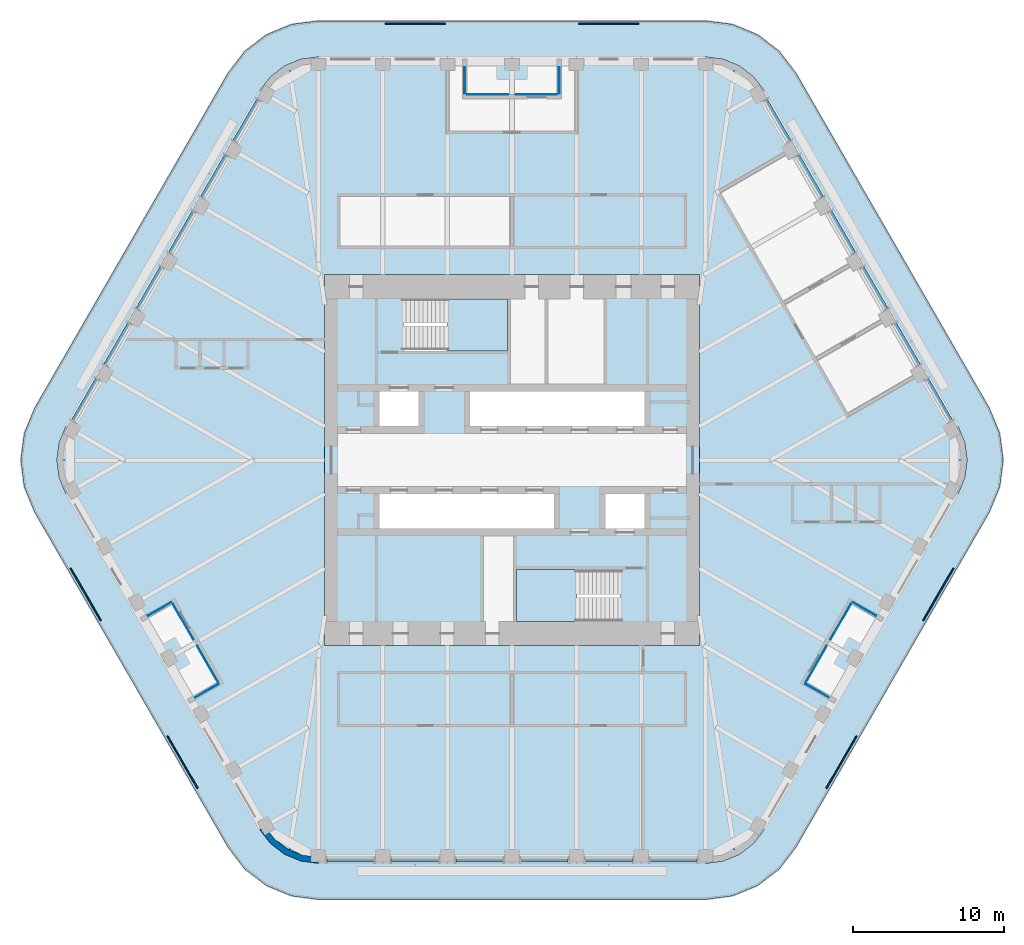
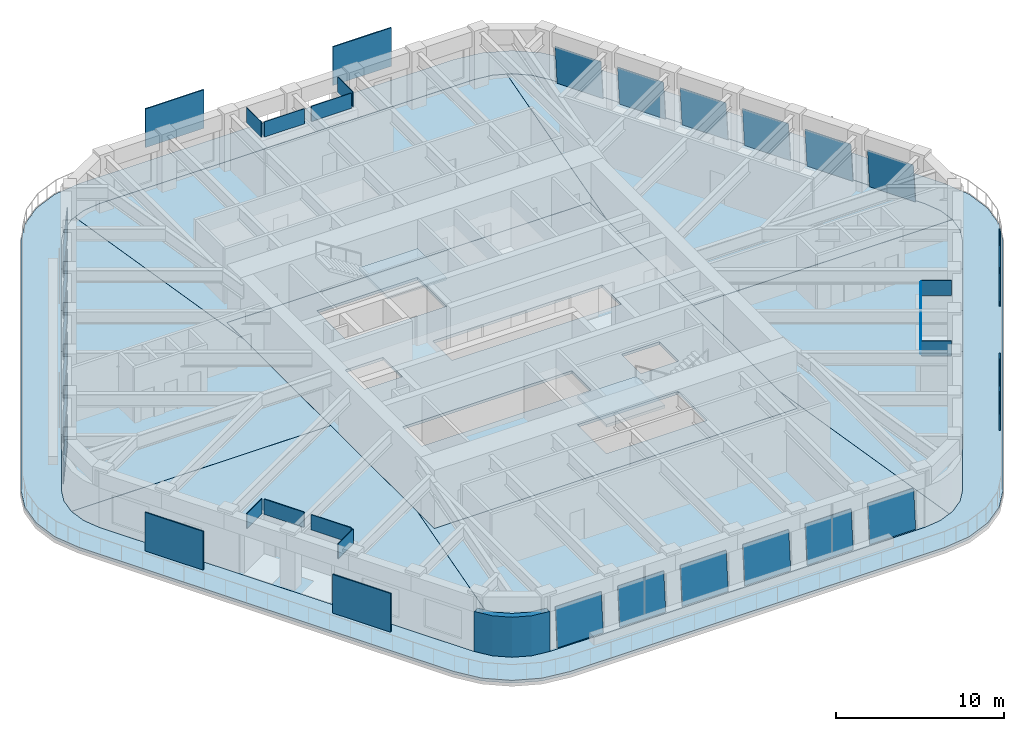
# One storey, part 12 of 19: 36 plates, 10 slabs, 1 wall, 20 elements without a shape of their own.
"""IFC4 building model written with IfcOpenShell, lengths in metres."""

import ifcopenshell
import ifcopenshell.guid

model = None  # the IFC model being written
_history = None  # IfcOwnerHistory: only IFC2X3 demands one
_inside = {}  # id of a spatial element -> (the spatial element, [elements in it])
_under = {}  # id of a project, library or spatial element -> (it, [spatial elements below it])
_declared = {}  # id of a project -> (the project, [libraries it declares])
_typed = {}  # id of a type object -> (the type object, [elements of that type])
_made_of = {}  # id of a material, layer set ... -> (it, [elements and type objects made of it])


def new_model(schema):
    """Start an empty IFC model of exactly this schema.

    Asked for "IFC4X3", IfcOpenShell would pick the latest addendum, in which some entities
    have other attributes; the version numbers below select the first issue.
    IFC2X3 requires an IfcOwnerHistory on every rooted entity: one is made here for all.
    """
    global model, _history
    if schema == "IFC4X3":
        model = ifcopenshell.file(schema_version=(4, 3, 0, 0))
    else:
        model = ifcopenshell.file(schema=schema)
    _inside.clear()
    _under.clear()
    _declared.clear()
    _typed.clear()
    _made_of.clear()
    _history = None
    if model.schema == "IFC2X3":
        org = make("IfcOrganization", Name="unknown")
        user = make(
            "IfcPersonAndOrganization",
            ThePerson=make("IfcPerson", FamilyName="unknown"),
            TheOrganization=org,
        )
        app = make(
            "IfcApplication",
            ApplicationDeveloper=org,
            Version="unknown",
            ApplicationFullName="unknown",
            ApplicationIdentifier="unknown",
        )
        _history = make(
            "IfcOwnerHistory",
            OwningUser=user,
            OwningApplication=app,
            ChangeAction="ADDED",
            CreationDate=0,
        )
    return model


def make(cls, **values):
    """One entity of the class cls with the attributes given. An attribute that is None is left unset."""
    return model.create_entity(
        cls, **{name: value for name, value in values.items() if value is not None}
    )


def rooted(cls, **values):
    """An entity with a GlobalId (a new one), such as an element, a storey or a relation."""
    return make(cls, GlobalId=ifcopenshell.guid.new(), OwnerHistory=_history, **values)


def si_unit(unit_type, name, prefix=None):
    """IfcSIUnit, for example si_unit("LENGTHUNIT", "METRE", prefix="MILLI")."""
    return make("IfcSIUnit", UnitType=unit_type, Prefix=prefix, Name=name)


def assignment(units):
    """IfcUnitAssignment: the units of a project."""
    return None if units is None else make("IfcUnitAssignment", Units=units)


def point(xyz):
    """IfcCartesianPoint."""
    return None if xyz is None else make("IfcCartesianPoint", Coordinates=xyz)


def direction(xyz):
    """IfcDirection."""
    return None if xyz is None else make("IfcDirection", DirectionRatios=xyz)


def frame(location, z_axis=None, x_axis=None):
    """IfcAxis2Placement3D, a coordinate frame: its origin and axes. An axis left out is left unset."""
    return make(
        "IfcAxis2Placement3D",
        Location=point(location),
        Axis=direction(z_axis),
        RefDirection=direction(x_axis),
    )


def frame_2d(location, x_axis=None):
    """IfcAxis2Placement2D, a coordinate frame in the plane: its origin and x axis."""
    return make(
        "IfcAxis2Placement2D", Location=point(location), RefDirection=direction(x_axis)
    )


def origin():
    """The frame at (0, 0, 0) with its axes left unset."""
    return frame((0.0, 0.0, 0.0))


def origin_2d():
    """The frame at (0, 0) in the plane with its x axis left unset."""
    return frame_2d((0.0, 0.0))


def place(relative_to, where):
    """IfcLocalPlacement: puts the frame where relative to a parent placement (None: the world)."""
    return make(
        "IfcLocalPlacement", PlacementRelTo=relative_to, RelativePlacement=where
    )


def context(
    kind, dimensions, precision=None, world=None, true_north=None, identifier=None
):
    """IfcGeometricRepresentationContext, for example the 3D "Model" context."""
    return make(
        "IfcGeometricRepresentationContext",
        ContextIdentifier=identifier,
        ContextType=kind,
        CoordinateSpaceDimension=dimensions,
        Precision=precision,
        WorldCoordinateSystem=world,
        TrueNorth=true_north,
    )


def subcontext(parent, identifier, kind, view, scale=None):
    """IfcGeometricRepresentationSubContext, for example "Body" below "Model"."""
    return make(
        "IfcGeometricRepresentationSubContext",
        ContextIdentifier=identifier,
        ContextType=kind,
        ParentContext=parent,
        TargetScale=scale,
        TargetView=view,
    )


def project(units=None, contexts=None):
    """IfcProject with its units and contexts."""
    return rooted(
        "IfcProject",
        Name="project",
        RepresentationContexts=contexts,
        UnitsInContext=assignment(units),
    )


def spatial(cls, under=None, at=None, **own):
    """A site, building, storey or space (cls), placed at a placement, below another one or the project."""
    s = rooted(cls, ObjectPlacement=at, **own)
    if under is not None:
        _under.setdefault(under.id(), (under, []))[1].append(s)
    return s


def polyline(points):
    """IfcPolyline through the points."""
    return make("IfcPolyline", Points=[point(p) for p in points])


def profile(cls, at=None, kind="AREA", **sizes):
    """A parametric profile (cls). Its sizes go by their IFC names, for example OverallWidth=200.0."""
    return make(cls, ProfileType=kind, Position=at, **sizes)


def rectangle(**sizes):
    """IfcRectangleProfileDef."""
    return profile("IfcRectangleProfileDef", **sizes)


def outline(outer, holes=None, kind="AREA"):
    """IfcArbitraryClosedProfileDef: a profile drawn as a closed curve; with holes, ...WithVoids."""
    if holes is None:
        return make("IfcArbitraryClosedProfileDef", ProfileType=kind, OuterCurve=outer)
    return make(
        "IfcArbitraryProfileDefWithVoids",
        ProfileType=kind,
        OuterCurve=outer,
        InnerCurves=holes,
    )


def extrude(swept, where, along, depth):
    """IfcExtrudedAreaSolid: the profile swept, set in the frame where, extruded along a direction by depth."""
    return make(
        "IfcExtrudedAreaSolid",
        SweptArea=swept,
        Position=where,
        ExtrudedDirection=direction(along),
        Depth=depth,
    )


def shape(context_of_items, identifier, shape_type, items):
    """IfcShapeRepresentation: the items that make up one representation, for example the "Body"."""
    return make(
        "IfcShapeRepresentation",
        ContextOfItems=context_of_items,
        RepresentationIdentifier=identifier,
        RepresentationType=shape_type,
        Items=items,
    )


def material(Name=None, Category=None):
    """IfcMaterial."""
    return make("IfcMaterial", Name=Name, Category=Category)


def layer(
    of_material, thickness, ventilated=None, Name=None, Category=None, Priority=None
):
    """IfcMaterialLayer: one layer of a wall or slab, of a material (None: an air gap)."""
    return make(
        "IfcMaterialLayer",
        Material=of_material,
        LayerThickness=thickness,
        IsVentilated=ventilated,
        Name=Name,
        Category=Category,
        Priority=Priority,
    )


def layer_set(layers, Name=None):
    """IfcMaterialLayerSet."""
    return make("IfcMaterialLayerSet", MaterialLayers=layers, LayerSetName=Name)


def made_of(thing, what):
    """Note that an element or type object is made of a material, layer set ...; save() writes the relation."""
    if what is not None:
        _made_of.setdefault(what.id(), (what, []))[1].append(thing)
    return thing


def type_object(cls, material=None, **own):
    """A type object (cls), such as IfcWallType, which elements share."""
    return made_of(rooted(cls, **own), material)


def element(
    cls,
    number,
    at=None,
    inside=None,
    cuts=None,
    type_object=None,
    material=None,
    context=None,
    identifier="Body",
    shape_type=None,
    held_by="IfcProductDefinitionShape",
    body=None,
    shapes=None,
    **own,
):
    """One element of the class cls, such as IfcWall. Its Tag is "e" and its number.

    at: its placement. inside: the storey or other place that contains it. cuts: it is an
    opening in that element (IfcRelVoidsElement). A single representation is given by context,
    identifier, shape_type and body (its items); several are given by shapes. held_by: the class
    of the entity that holds the representations. save() writes the other relations.
    """
    e = rooted(cls, Tag="e%d" % number, ObjectPlacement=at, **own)
    if body is not None:
        shapes = [shape(context, identifier, shape_type, body)]
    if shapes is not None:
        e.Representation = make(held_by, Representations=shapes)
    if inside is not None:
        _inside.setdefault(inside.id(), (inside, []))[1].append(e)
    if cuts is not None:
        rooted(
            "IfcRelVoidsElement", RelatingBuildingElement=cuts, RelatedOpeningElement=e
        )
    if type_object is not None:
        _typed.setdefault(type_object.id(), (type_object, []))[1].append(e)
    return made_of(e, material)


def aggregate(whole, parts):
    """IfcRelAggregates: a whole, such as a stair, and the parts it consists of."""
    return rooted("IfcRelAggregates", RelatingObject=whole, RelatedObjects=parts)


def save(model, path):
    """Write the relations noted so far, then the file.

    IfcRelAggregates (storeys below a building ...), IfcRelContainedInSpatialStructure (elements
    in a storey), IfcRelDefinesByType, IfcRelAssociatesMaterial and IfcRelDeclares: one each for
    every whole, place, type object, material and project.
    """
    for whole, parts in _under.values():
        aggregate(whole, parts)
    for where, things in _inside.values():
        rooted(
            "IfcRelContainedInSpatialStructure",
            RelatedElements=things,
            RelatingStructure=where,
        )
    for kind, things in _typed.values():
        rooted("IfcRelDefinesByType", RelatedObjects=things, RelatingType=kind)
    for what, things in _made_of.values():
        rooted("IfcRelAssociatesMaterial", RelatedObjects=things, RelatingMaterial=what)
    for by, libraries in _declared.values():
        rooted("IfcRelDeclares", RelatingContext=by, RelatedDefinitions=libraries)
    model.write(path)


model = new_model("IFC4")

# Units and contexts
model_context = context("Model", 3, precision=1e-05, world=origin(), true_north=direction((0.0, 1.0)))
body_context = subcontext(model_context, "Body", "Model", "MODEL_VIEW")
ifc_project = project(units=[si_unit("LENGTHUNIT", "METRE"), si_unit("AREAUNIT", "SQUARE_METRE"), si_unit("VOLUMEUNIT", "CUBIC_METRE"), si_unit("PLANEANGLEUNIT", "RADIAN"), si_unit("MASSUNIT", "GRAM", prefix="KILO")], contexts=[model_context])

# Site, building, storey
site_placement = place(None, origin())
site = spatial("IfcSite", under=ifc_project, at=site_placement, CompositionType="ELEMENT")
building_placement = place(site_placement, origin())
building = spatial("IfcBuilding", under=site, at=building_placement, Name="Tarfa Lantern Tower", CompositionType="ELEMENT")
storey_placement = place(building_placement, frame((0.0, 0.0, 349.300048828125)))
storey = spatial("IfcBuildingStorey", under=building, at=storey_placement, Name="L79", CompositionType="ELEMENT", Elevation=349.300048828125)

# Slab
ifc_material_1 = material(Name="Concrete C40/50", Category="concrete")
ifc_layer_1 = layer(ifc_material_1, 0.199951171875)
ifc_layer_set_1 = layer_set([ifc_layer_1], Name="BS2 BALCONY SLAB 200")
slab_type_1 = type_object("IfcSlabType", Name="BS2 BALCONY SLAB 200", PredefinedType="FLOOR", material=ifc_layer_set_1)
slab_1_placement = place(storey_placement, frame((0.0, 0.0, -0.199951171875)))
element("IfcSlab", 1, at=slab_1_placement, inside=storey, type_object=slab_type_1, Name="Balcony L79", PredefinedType="FLOOR", context=body_context, shape_type="SweptSolid", body=[
    extrude(outline(polyline([(31.667724609375, 3.449951171875), (18.821533203125, 25.699951171875), (17.72509765625, 27.129150390625), (16.296142578125, 28.2255859375), (14.6318359375, 28.914794921875), (12.845947265625, 29.14990234375), (-12.845947265625, 29.14990234375), (-14.6318359375, 28.914794921875), (-16.296142578125, 28.2255859375), (-17.72509765625, 27.129150390625), (-18.821533203125, 25.699951171875), (-31.667724609375, 3.449951171875), (-32.35693359375, 1.785888671875), (-32.592041015625, 0.0), (-32.35693359375, -1.785888671875), (-31.667724609375, -3.449951171875), (-18.821533203125, -25.699951171875), (-17.72509765625, -27.129150390625), (-16.296142578125, -28.2255859375), (-14.6318359375, -28.914794921875), (-12.845947265625, -29.14990234375), (12.845947265625, -29.14990234375), (14.6318359375, -28.914794921875), (16.296142578125, -28.2255859375), (17.72509765625, -27.129150390625), (18.821533203125, -25.699951171875), (31.667724609375, -3.449951171875), (32.35693359375, -1.785888671875), (32.592041015625, 0.0), (32.35693359375, 1.785888671875), (31.667724609375, 3.449951171875)]), holes=[polyline([(29.589111328125, 2.25), (16.7431640625, 24.5), (16.028076171875, 25.431884765625), (15.095947265625, 26.147216796875), (14.0107421875, 26.5966796875), (12.845947265625, 26.75), (-12.845947265625, 26.75), (-14.0107421875, 26.5966796875), (-15.095947265625, 26.147216796875), (-16.028076171875, 25.431884765625), (-16.7431640625, 24.5), (-29.589111328125, 2.25), (-30.038818359375, 1.164794921875), (-30.192138671875, 0.0), (-30.038818359375, -1.164794921875), (-29.589111328125, -2.25), (-16.7431640625, -24.5), (-16.028076171875, -25.431884765625), (-15.095947265625, -26.147216796875), (-14.0107421875, -26.5966796875), (-12.845947265625, -26.75), (12.845947265625, -26.75), (14.0107421875, -26.5966796875), (15.095947265625, -26.147216796875), (16.028076171875, -25.431884765625), (16.7431640625, -24.5), (29.589111328125, -2.25), (30.038818359375, -1.164794921875), (30.192138671875, 0.0), (30.038818359375, 1.164794921875), (29.589111328125, 2.25)])]), origin(), (0.0, 0.0, 1.0), 0.199951171875),
])

# Curtain wall, plate
ifc_material_2 = material(Name="Aluminium framed curtain wall", Category="aluminium")
curtain_wall_type = type_object("IfcCurtainWallType", Name="CW4 CANTED GLAZING EXECUTIVE ZONE 2900", PredefinedType="USERDEFINED", material=ifc_material_2)
curtain_wall_1_placement = place(storey_placement, origin())
curtain_wall_1 = element("IfcCurtainWall", 2, at=curtain_wall_1_placement, inside=storey, type_object=curtain_wall_type, Name="CW4 NE L79", ObjectType="CURTAIN WALL", PredefinedType="USERDEFINED")
ifc_material_3 = material(Name="Laminated double glazing", Category="glass")
ifc_layer_2 = layer(ifc_material_3, 0.028076171875)
ifc_layer_set_2 = layer_set([ifc_layer_2], Name="CWP1 DOUBLE GLAZED PANEL")
plate_type_1 = type_object("IfcPlateType", Name="CWP1 DOUBLE GLAZED PANEL", PredefinedType="CURTAIN_PANEL", material=ifc_layer_set_2)
plate_1_placement = place(storey_placement, frame((29.22021484375, 2.689208984375, 0.0), z_axis=(0.862804843011, 0.49819050769, 0.085872119595), x_axis=(-0.500037562771, 0.866003715822, 0.0)))
plate_1 = element("IfcPlate", 3, at=plate_1_placement, type_object=plate_type_1, Name="CW4 panel 1.1", PredefinedType="CURTAIN_PANEL", context=body_context, shape_type="SweptSolid", body=[
    extrude(outline(polyline([(0.0, 0.0), (3.1521069462545803, 0.0), (3.1522365138844113, 2.845471633558051), (0.00012956762983128145, 2.845471633558051), (0.0, 0.0)])), origin(), (0.0, 0.0, -1.0), 0.028076171875),
])
aggregate(curtain_wall_1, [plate_1])

curtain_wall_2_placement = place(storey_placement, origin())
curtain_wall_2 = element("IfcCurtainWall", 4, at=curtain_wall_2_placement, inside=storey, type_object=curtain_wall_type, Name="CW4 NE L79", ObjectType="CURTAIN WALL", PredefinedType="USERDEFINED")
plate_2_placement = place(storey_placement, frame((27.0791015625, 6.397705078125, 0.0), z_axis=(0.862835078884, 0.498130796369, 0.085914703959), x_axis=(-0.499979472441, 0.866037255052, 0.0)))
plate_2 = element("IfcPlate", 5, at=plate_2_placement, type_object=plate_type_1, Name="CW4 panel 1.1", PredefinedType="CURTAIN_PANEL", context=body_context, shape_type="SweptSolid", body=[
    extrude(outline(polyline([(0.0, 0.0), (3.1519848738624487, 1.3877787807814457e-17), (3.151886616495537, 2.8454821188624972), (-9.82573669122272e-05, 2.8454821188624972), (0.0, 0.0)])), origin(), (0.0, 0.0, -1.0), 0.028076171875),
])
aggregate(curtain_wall_2, [plate_2])

curtain_wall_3_placement = place(storey_placement, origin())
curtain_wall_3 = element("IfcCurtainWall", 6, at=curtain_wall_3_placement, inside=storey, type_object=curtain_wall_type, Name="CW4 NE L79", ObjectType="CURTAIN WALL", PredefinedType="USERDEFINED")
plate_3_placement = place(storey_placement, frame((24.93798828125, 10.10595703125, 0.0), z_axis=(0.862827022781, 0.498148421989, 0.085893413189), x_axis=(-0.499996118478, 0.866027644769, -1.657084e-06)))
plate_3 = element("IfcPlate", 7, at=plate_3_placement, type_object=plate_type_1, Name="CW4 panel 1.1", PredefinedType="CURTAIN_PANEL", context=body_context, shape_type="SweptSolid", body=[
    extrude(outline(polyline([(0.0, 0.0), (3.1519848732758744, -1.3877787807814457e-17), (3.151886617082093, 2.845482118212779), (0.0001131763366805867, 2.8454716336074517), (0.0, 0.0)])), origin(), (0.0, 0.0, -1.0), 0.028076171875),
])
aggregate(curtain_wall_3, [plate_3])

curtain_wall_4_placement = place(storey_placement, origin())
curtain_wall_4 = element("IfcCurtainWall", 8, at=curtain_wall_4_placement, inside=storey, type_object=curtain_wall_type, Name="CW4 NE L79", ObjectType="CURTAIN WALL", PredefinedType="USERDEFINED")
plate_4_placement = place(storey_placement, frame((22.797119140625, 13.814208984375, 0.0), z_axis=(0.862838258141, 0.498132631813, 0.085872122435), x_axis=(-0.499979472441, 0.866037255052, 0.0)))
plate_4 = element("IfcPlate", 9, at=plate_4_placement, type_object=plate_type_1, Name="CW4 panel 1.1", PredefinedType="CURTAIN_PANEL", context=body_context, shape_type="SweptSolid", body=[
    extrude(outline(polyline([(0.0, 0.0), (3.1519848738624487, 0.0), (3.1520980513722585, 2.8454716342571658), (0.0001131775098094225, 2.8454716342571658), (0.0, 0.0)])), origin(), (0.0, 0.0, -1.0), 0.028076171875),
])
aggregate(curtain_wall_4, [plate_4])

curtain_wall_5_placement = place(storey_placement, origin())
curtain_wall_5 = element("IfcCurtainWall", 10, at=curtain_wall_5_placement, inside=storey, type_object=curtain_wall_type, Name="CW4 NE L79", ObjectType="CURTAIN WALL", PredefinedType="USERDEFINED")
plate_5_placement = place(storey_placement, frame((20.656005859375, 17.522705078125, 0.0), z_axis=(0.862835078884, 0.498130796369, 0.085914703959), x_axis=(-0.499979472441, 0.866037255052, 0.0)))
plate_5 = element("IfcPlate", 11, at=plate_5_placement, type_object=plate_type_1, Name="CW4 panel 1.1", PredefinedType="CURTAIN_PANEL", context=body_context, shape_type="SweptSolid", body=[
    extrude(outline(polyline([(0.0, 0.0), (3.1519848738624487, 1.3877787807814457e-17), (3.151886616495537, 2.8454821188624972), (-9.82573669122272e-05, 2.8454821188624972), (0.0, 0.0)])), origin(), (0.0, 0.0, -1.0), 0.028076171875),
])
aggregate(curtain_wall_5, [plate_5])

curtain_wall_6_placement = place(storey_placement, origin())
curtain_wall_6 = element("IfcCurtainWall", 12, at=curtain_wall_6_placement, inside=storey, type_object=curtain_wall_type, Name="CW4 NE L79", ObjectType="CURTAIN WALL", PredefinedType="USERDEFINED")
plate_6_placement = place(storey_placement, frame((18.51513671875, 21.23095703125, 0.0), z_axis=(0.862793605668, 0.498206298305, 0.085893412712), x_axis=(-0.500054209453, 0.865994103678, -1.657212e-06)))
plate_6 = element("IfcPlate", 13, at=plate_6_placement, type_object=plate_type_1, Name="CW4 panel 1.1", PredefinedType="CURTAIN_PANEL", context=body_context, shape_type="SweptSolid", body=[
    extrude(outline(polyline([(0.0, 0.0), (3.1521069456678914, 2.7755575615628914e-17), (3.1520250877826514, 2.8454821187316206), (0.00012956645647832136, 2.845471632908193), (0.0, 0.0)])), origin(), (0.0, 0.0, -1.0), 0.028076171875),
])
aggregate(curtain_wall_6, [plate_6])

curtain_wall_7_placement = place(storey_placement, origin())
curtain_wall_7 = element("IfcCurtainWall", 14, at=curtain_wall_7_placement, inside=storey, type_object=curtain_wall_type, Name="CW4 NW L79", ObjectType="CURTAIN WALL", PredefinedType="USERDEFINED")
plate_7_placement = place(storey_placement, frame((-16.93896484375, 23.960693359375, 0.0), z_axis=(-0.862793605668, 0.498206298305, 0.085893412712), x_axis=(-0.500054209453, -0.865994103678, 1.657212e-06)))
plate_7 = element("IfcPlate", 15, at=plate_7_placement, type_object=plate_type_1, Name="CW4 panel 1.1", PredefinedType="CURTAIN_PANEL", context=body_context, shape_type="SweptSolid", body=[
    extrude(outline(polyline([(0.0, 0.0), (3.1521069456678914, -2.7755575615628914e-17), (3.151977379211413, 2.845471632908193), (8.185788524001455e-05, 2.8454821187316206), (0.0, 0.0)])), origin(), (0.0, 0.0, -1.0), 0.028076171875),
])
aggregate(curtain_wall_7, [plate_7])

curtain_wall_8_placement = place(storey_placement, origin())
curtain_wall_8 = element("IfcCurtainWall", 16, at=curtain_wall_8_placement, inside=storey, type_object=curtain_wall_type, Name="CW4 NW L79", ObjectType="CURTAIN WALL", PredefinedType="USERDEFINED")
plate_8_placement = place(storey_placement, frame((-19.080078125, 20.25244140625, 0.0), z_axis=(-0.862835078884, 0.498130796369, 0.085914703959), x_axis=(-0.499979472441, -0.866037255052, 0.0)))
plate_8 = element("IfcPlate", 17, at=plate_8_placement, type_object=plate_type_1, Name="CW4 panel 1.1", PredefinedType="CURTAIN_PANEL", context=body_context, shape_type="SweptSolid", body=[
    extrude(outline(polyline([(0.0, 0.0), (3.1519848738624487, -1.3877787807814457e-17), (3.1520831312293613, 2.8454821188624972), (9.82573669122272e-05, 2.8454821188624972), (0.0, 0.0)])), origin(), (0.0, 0.0, -1.0), 0.028076171875),
])
aggregate(curtain_wall_8, [plate_8])

curtain_wall_9_placement = place(storey_placement, origin())
curtain_wall_9 = element("IfcCurtainWall", 18, at=curtain_wall_9_placement, inside=storey, type_object=curtain_wall_type, Name="CW4 NW L79", ObjectType="CURTAIN WALL", PredefinedType="USERDEFINED")
plate_9_placement = place(storey_placement, frame((-21.22119140625, 16.5439453125, 0.0), z_axis=(-0.862838258141, 0.498132631813, 0.085872122435), x_axis=(-0.499979472441, -0.866037255052, 0.0)))
plate_9 = element("IfcPlate", 19, at=plate_9_placement, type_object=plate_type_1, Name="CW4 panel 1.1", PredefinedType="CURTAIN_PANEL", context=body_context, shape_type="SweptSolid", body=[
    extrude(outline(polyline([(0.0, 0.0), (3.1519848738624487, 0.0), (3.15187169635264, 2.8454716342571658), (-0.0001131775098094225, 2.8454716342571658), (0.0, 0.0)])), origin(), (0.0, 0.0, -1.0), 0.028076171875),
])
aggregate(curtain_wall_9, [plate_9])

curtain_wall_10_placement = place(storey_placement, origin())
curtain_wall_10 = element("IfcCurtainWall", 20, at=curtain_wall_10_placement, inside=storey, type_object=curtain_wall_type, Name="CW4 NW L79", ObjectType="CURTAIN WALL", PredefinedType="USERDEFINED")
plate_10_placement = place(storey_placement, frame((-23.362060546875, 12.835693359375, 0.0), z_axis=(-0.862827022781, 0.498148421989, 0.085893413189), x_axis=(-0.499996118478, -0.866027644769, 1.657084e-06)))
plate_10 = element("IfcPlate", 21, at=plate_10_placement, type_object=plate_type_1, Name="CW4 panel 1.1", PredefinedType="CURTAIN_PANEL", context=body_context, shape_type="SweptSolid", body=[
    extrude(outline(polyline([(0.0, 0.0), (3.1519848732758744, 1.3877787807814457e-17), (3.151871696939194, 2.8454716336074517), (9.825619378062742e-05, 2.845482118212779), (0.0, 0.0)])), origin(), (0.0, 0.0, -1.0), 0.028076171875),
])
aggregate(curtain_wall_10, [plate_10])

curtain_wall_11_placement = place(storey_placement, origin())
curtain_wall_11 = element("IfcCurtainWall", 22, at=curtain_wall_11_placement, inside=storey, type_object=curtain_wall_type, Name="CW4 NW L79", ObjectType="CURTAIN WALL", PredefinedType="USERDEFINED")
plate_11_placement = place(storey_placement, frame((-25.503173828125, 9.12744140625, 0.0), z_axis=(-0.862835078884, 0.498130796369, 0.085914703959), x_axis=(-0.499979472441, -0.866037255052, 0.0)))
plate_11 = element("IfcPlate", 23, at=plate_11_placement, type_object=plate_type_1, Name="CW4 panel 1.1", PredefinedType="CURTAIN_PANEL", context=body_context, shape_type="SweptSolid", body=[
    extrude(outline(polyline([(0.0, 0.0), (3.1519848738624487, -1.3877787807814457e-17), (3.1520831312293613, 2.8454821188624972), (9.82573669122272e-05, 2.8454821188624972), (0.0, 0.0)])), origin(), (0.0, 0.0, -1.0), 0.028076171875),
])
aggregate(curtain_wall_11, [plate_11])

curtain_wall_12_placement = place(storey_placement, origin())
curtain_wall_12 = element("IfcCurtainWall", 24, at=curtain_wall_12_placement, inside=storey, type_object=curtain_wall_type, Name="CW4 NW L79", ObjectType="CURTAIN WALL", PredefinedType="USERDEFINED")
plate_12_placement = place(storey_placement, frame((-27.64404296875, 5.4189453125, 0.0), z_axis=(-0.862804843011, 0.49819050769, 0.085872119595), x_axis=(-0.500037562771, -0.866003715822, 0.0)))
plate_12 = element("IfcPlate", 25, at=plate_12_placement, type_object=plate_type_1, Name="CW4 panel 1.1", PredefinedType="CURTAIN_PANEL", context=body_context, shape_type="SweptSolid", body=[
    extrude(outline(polyline([(0.0, 0.0), (3.1521069462545803, 0.0), (3.151977378624749, 2.845471633558051), (-0.00012956762983128145, 2.845471633558051), (0.0, 0.0)])), origin(), (0.0, 0.0, -1.0), 0.028076171875),
])
aggregate(curtain_wall_12, [plate_12])

curtain_wall_13_placement = place(storey_placement, origin())
curtain_wall_13 = element("IfcCurtainWall", 26, at=curtain_wall_13_placement, inside=storey, type_object=curtain_wall_type, Name="CW4 S L79", ObjectType="CURTAIN WALL", PredefinedType="USERDEFINED")
plate_13_placement = place(storey_placement, frame((-12.281005859375, -26.64990234375, 0.0), z_axis=(0.0, -0.996305022141, 0.085885405371), x_axis=(1.0, 0.0, 0.0)))
plate_13 = element("IfcPlate", 27, at=plate_13_placement, type_object=plate_type_1, Name="CW4 panel 1.1", PredefinedType="CURTAIN_PANEL", context=body_context, shape_type="SweptSolid", body=[
    extrude(outline(polyline([(0.0, 0.0), (3.15185546875, 0.0), (3.15185546875, 2.8454749042682606), (0.0, 2.8454749042682606), (0.0, 0.0)])), origin(), (0.0, 0.0, -1.0), 0.028076171875),
])
aggregate(curtain_wall_13, [plate_13])

curtain_wall_14_placement = place(storey_placement, origin())
curtain_wall_14 = element("IfcCurtainWall", 28, at=curtain_wall_14_placement, inside=storey, type_object=curtain_wall_type, Name="CW4 S L79", ObjectType="CURTAIN WALL", PredefinedType="USERDEFINED")
plate_14_placement = place(storey_placement, frame((-7.9990234375, -26.64990234375, 0.0), z_axis=(0.0, -0.996305022141, 0.085885405371), x_axis=(1.0, 0.0, 0.0)))
plate_14 = element("IfcPlate", 29, at=plate_14_placement, type_object=plate_type_1, Name="CW4 panel 1.1", PredefinedType="CURTAIN_PANEL", context=body_context, shape_type="SweptSolid", body=[
    extrude(outline(polyline([(0.0, 0.0), (3.152099609375, 0.0), (3.152099609375, 2.8454749042682606), (0.0, 2.8454749042682606), (0.0, 0.0)])), origin(), (0.0, 0.0, -1.0), 0.028076171875),
])
aggregate(curtain_wall_14, [plate_14])

curtain_wall_15_placement = place(storey_placement, origin())
curtain_wall_15 = element("IfcCurtainWall", 30, at=curtain_wall_15_placement, inside=storey, type_object=curtain_wall_type, Name="CW4 S L79", ObjectType="CURTAIN WALL", PredefinedType="USERDEFINED")
plate_15_placement = place(storey_placement, frame((-3.717041015625, -26.64990234375, 0.0), z_axis=(0.0, -0.996305022141, 0.085885405371), x_axis=(1.0, 0.0, 0.0)))
plate_15 = element("IfcPlate", 31, at=plate_15_placement, type_object=plate_type_1, Name="CW4 panel 1.1", PredefinedType="CURTAIN_PANEL", context=body_context, shape_type="SweptSolid", body=[
    extrude(outline(polyline([(0.0, 0.0), (3.152099609375, 0.0), (3.152099609375, 2.8454749042682606), (0.0, 2.8454749042682606), (0.0, 0.0)])), origin(), (0.0, 0.0, -1.0), 0.028076171875),
])
aggregate(curtain_wall_15, [plate_15])

curtain_wall_16_placement = place(storey_placement, origin())
curtain_wall_16 = element("IfcCurtainWall", 32, at=curtain_wall_16_placement, inside=storey, type_object=curtain_wall_type, Name="CW4 S L79", ObjectType="CURTAIN WALL", PredefinedType="USERDEFINED")
plate_16_placement = place(storey_placement, frame((0.56494140625, -26.64990234375, 0.0), z_axis=(0.0, -0.996305022141, 0.085885405371), x_axis=(1.0, 0.0, 0.0)))
plate_16 = element("IfcPlate", 33, at=plate_16_placement, type_object=plate_type_1, Name="CW4 panel 1.1", PredefinedType="CURTAIN_PANEL", context=body_context, shape_type="SweptSolid", body=[
    extrude(outline(polyline([(0.0, 0.0), (3.152099609375, 0.0), (3.152099609375, 2.8454749042682606), (0.0, 2.8454749042682606), (0.0, 0.0)])), origin(), (0.0, 0.0, -1.0), 0.028076171875),
])
aggregate(curtain_wall_16, [plate_16])

curtain_wall_17_placement = place(storey_placement, origin())
curtain_wall_17 = element("IfcCurtainWall", 34, at=curtain_wall_17_placement, inside=storey, type_object=curtain_wall_type, Name="CW4 S L79", ObjectType="CURTAIN WALL", PredefinedType="USERDEFINED")
plate_17_placement = place(storey_placement, frame((4.846923828125, -26.64990234375, 0.0), z_axis=(0.0, -0.996305022141, 0.085885405371), x_axis=(1.0, 0.0, 0.0)))
plate_17 = element("IfcPlate", 35, at=plate_17_placement, type_object=plate_type_1, Name="CW4 panel 1.1", PredefinedType="CURTAIN_PANEL", context=body_context, shape_type="SweptSolid", body=[
    extrude(outline(polyline([(0.0, 0.0), (3.152099609375, 0.0), (3.152099609375, 2.8454749042682606), (0.0, 2.8454749042682606), (0.0, 0.0)])), origin(), (0.0, 0.0, -1.0), 0.028076171875),
])
aggregate(curtain_wall_17, [plate_17])

curtain_wall_18_placement = place(storey_placement, origin())
curtain_wall_18 = element("IfcCurtainWall", 36, at=curtain_wall_18_placement, inside=storey, type_object=curtain_wall_type, Name="CW4 S L79", ObjectType="CURTAIN WALL", PredefinedType="USERDEFINED")
plate_18_placement = place(storey_placement, frame((9.129150390625, -26.64990234375, 0.0), z_axis=(0.0, -0.996305022141, 0.085885405371), x_axis=(1.0, 0.0, 0.0)))
plate_18 = element("IfcPlate", 37, at=plate_18_placement, type_object=plate_type_1, Name="CW4 panel 1.1", PredefinedType="CURTAIN_PANEL", context=body_context, shape_type="SweptSolid", body=[
    extrude(outline(polyline([(0.0, 0.0), (3.15185546875, 0.0), (3.15185546875, 2.8454749042682606), (0.0, 2.8454749042682606), (0.0, 0.0)])), origin(), (0.0, 0.0, -1.0), 0.028076171875),
])
aggregate(curtain_wall_18, [plate_18])

# Slabs
ifc_layer_3 = layer(ifc_material_1, 0.199951171875)
ifc_layer_set_3 = layer_set([ifc_layer_3], Name="FS1 FLOOR SLAB 200")
slab_type_2 = type_object("IfcSlabType", Name="FS1 FLOOR SLAB 200", PredefinedType="FLOOR", material=ifc_layer_set_3)
slab_2_placement = place(storey_placement, frame((0.0, 0.0, -0.199951171875)))
element("IfcSlab", 38, at=slab_2_placement, inside=storey, type_object=slab_type_2, Name="Floor slab L79", PredefinedType="FLOOR", context=body_context, shape_type="SweptSolid", body=[
    extrude(outline(polyline([(-12.425048828125, -12.300048828125), (12.425048828125, -12.300048828125), (12.425048828125, 12.300048828125), (-12.425048828125, 12.300048828125), (-12.425048828125, -12.300048828125)]), holes=[polyline([(-8.800048828125, 2.25), (-6.199951171875, 2.25), (-6.199951171875, 4.550048828125), (-8.800048828125, 4.550048828125), (-8.800048828125, 2.25)]), polyline([(-2.800048828125, 2.25), (8.800048828125, 2.25), (8.800048828125, 4.550048828125), (-2.800048828125, 4.550048828125), (-2.800048828125, 2.25)]), polyline([(8.800048828125, -2.25), (6.199951171875, -2.25), (6.199951171875, -4.550048828125), (8.800048828125, -4.550048828125), (8.800048828125, -2.25)]), polyline([(2.800048828125, -2.25), (-8.800048828125, -2.25), (-8.800048828125, -4.550048828125), (2.800048828125, -4.550048828125), (2.800048828125, -2.25)]), polyline([(-7.199951171875, 7.25), (-0.300048828125, 7.25), (-0.300048828125, 10.699951171875), (-7.199951171875, 10.699951171875), (-7.199951171875, 7.25)]), polyline([(7.199951171875, -7.25), (0.300048828125, -7.25), (0.300048828125, -10.699951171875), (7.199951171875, -10.699951171875), (7.199951171875, -7.25)])]), origin(), (0.0, 0.0, 1.0), 0.199951171875),
])
slab_3_placement = place(storey_placement, frame((0.0, 0.0, -0.199951171875)))
element("IfcSlab", 39, at=slab_3_placement, inside=storey, type_object=slab_type_2, Name="Floor slab L79 NE bay", PredefinedType="FLOOR", context=body_context, shape_type="SweptSolid", body=[
    extrude(outline(polyline([(29.58740234375, 2.2490234375), (16.741455078125, 24.498779296875), (16.026611328125, 25.4306640625), (15.094970703125, 26.145263671875), (14.802001953125, 26.2666015625), (12.427001953125, 10.2998046875), (12.427001953125, 0.001953125), (30.189697265625, 0.001953125), (30.036865234375, 1.1640625), (29.58740234375, 2.2490234375)])), origin(), (0.0, 0.0, 1.0), 0.199951171875),
])
slab_4_placement = place(storey_placement, frame((0.0, 0.0, -0.199951171875)))
element("IfcSlab", 40, at=slab_4_placement, inside=storey, type_object=slab_type_2, Name="Floor slab L79 N bay", PredefinedType="FLOOR", context=body_context, shape_type="SweptSolid", body=[
    extrude(outline(polyline([(-12.427001953125, 10.3271484375), (-12.427001953125, 12.302001953125), (12.427001953125, 12.302001953125), (12.427001953125, 10.3271484375), (14.79833984375, 26.268310546875), (14.01025390625, 26.5947265625), (12.845947265625, 26.748046875), (-12.845947265625, 26.748046875), (-14.01025390625, 26.5947265625), (-14.79833984375, 26.268310546875), (-12.427001953125, 10.3271484375)])), origin(), (0.0, 0.0, 1.0), 0.199951171875),
])
slab_5_placement = place(storey_placement, frame((0.0, 0.0, -0.199951171875)))
element("IfcSlab", 41, at=slab_5_placement, inside=storey, type_object=slab_type_2, Name="Floor slab L79 NW bay", PredefinedType="FLOOR", context=body_context, shape_type="SweptSolid", body=[
    extrude(outline(polyline([(-12.427001953125, 0.001953125), (-12.427001953125, 10.2998046875), (-14.802001953125, 26.2666015625), (-15.094970703125, 26.145263671875), (-16.026611328125, 25.4306640625), (-16.741455078125, 24.498779296875), (-29.58740234375, 2.2490234375), (-30.036865234375, 1.1640625), (-30.189697265625, 0.001953125), (-12.427001953125, 0.001953125)])), origin(), (0.0, 0.0, 1.0), 0.199951171875),
])
slab_6_placement = place(storey_placement, frame((0.0, 0.0, -0.199951171875)))
element("IfcSlab", 42, at=slab_6_placement, inside=storey, type_object=slab_type_2, Name="Floor slab L79 SW bay", PredefinedType="FLOOR", context=body_context, shape_type="SweptSolid", body=[
    extrude(outline(polyline([(-12.427001953125, -10.2998046875), (-12.427001953125, -0.001953125), (-30.189697265625, -0.001953125), (-30.036865234375, -1.1640625), (-29.58740234375, -2.2490234375), (-16.741455078125, -24.498779296875), (-16.026611328125, -25.4306640625), (-15.094970703125, -26.145263671875), (-14.802001953125, -26.2666015625), (-12.427001953125, -10.2998046875)])), origin(), (0.0, 0.0, 1.0), 0.199951171875),
])
slab_7_placement = place(storey_placement, frame((0.0, 0.0, -0.199951171875)))
element("IfcSlab", 43, at=slab_7_placement, inside=storey, type_object=slab_type_2, Name="Floor slab L79 S bay", PredefinedType="FLOOR", context=body_context, shape_type="SweptSolid", body=[
    extrude(outline(polyline([(12.427001953125, -10.3271484375), (12.427001953125, -12.302001953125), (-12.427001953125, -12.302001953125), (-12.427001953125, -10.3271484375), (-14.79833984375, -26.268310546875), (-14.01025390625, -26.5947265625), (-12.845947265625, -26.748046875), (12.845947265625, -26.748046875), (14.01025390625, -26.5947265625), (14.79833984375, -26.268310546875), (12.427001953125, -10.3271484375)])), origin(), (0.0, 0.0, 1.0), 0.199951171875),
])
slab_8_placement = place(storey_placement, frame((0.0, 0.0, -0.199951171875)))
element("IfcSlab", 44, at=slab_8_placement, inside=storey, type_object=slab_type_2, Name="Floor slab L79 SE bay", PredefinedType="FLOOR", context=body_context, shape_type="SweptSolid", body=[
    extrude(outline(polyline([(12.427001953125, -0.001953125), (12.427001953125, -10.2998046875), (14.802001953125, -26.2666015625), (15.094970703125, -26.145263671875), (16.026611328125, -25.4306640625), (16.741455078125, -24.498779296875), (29.58740234375, -2.2490234375), (30.036865234375, -1.1640625), (30.189697265625, -0.001953125), (12.427001953125, -0.001953125)])), origin(), (0.0, 0.0, 1.0), 0.199951171875),
])

# Plates
ifc_material_4 = material(Name="Aluminium fascia panel", Category="aluminium")
ifc_layer_4 = layer(ifc_material_4, 0.050048828125)
ifc_layer_set_4 = layer_set([ifc_layer_4], Name="LF1 LOGGIA HEAD FASCIA 50")
plate_type_2 = type_object("IfcPlateType", Name="LF1 LOGGIA HEAD FASCIA 50", PredefinedType="USERDEFINED", material=ifc_layer_set_4)
for number, where, z_axis, x_axis, name in (
    (45, (1.615966796875, 24.25, 2.89990234375), (0.0, 0.0, 1.0), (-1.0, 0.0, 0.0), "Terrace head fascia N"),
    (46, (-1.615966796875, 24.25, 2.89990234375), (0.0, 0.0, 1.0), (-1.0, 0.0, 0.0), "Terrace head fascia N"),
):
    element("IfcPlate", number, at=place(storey_placement, frame(where, z_axis=z_axis, x_axis=x_axis)), inside=storey, type_object=plate_type_2, Name=name, ObjectType="FASCIA", PredefinedType="USERDEFINED", context=body_context, shape_type="SweptSolid", body=[
        extrude(rectangle(XDim=2.73193359375, YDim=0.050048828125, at=origin_2d()), origin(), (0.0, 0.0, 1.0), 1.10009765625),
    ])
for number, where, z_axis, x_axis, name in (
    (47, (3.132080078125, 25.18505859375, 2.89990234375), (0.0, 0.0, 1.0), (0.0, -1.0, 0.0), "Terrace head fascia N"),
    (48, (-3.132080078125, 25.18505859375, 2.89990234375), (0.0, 0.0, 1.0), (0.0, -1.0, 0.0), "Terrace head fascia N"),
):
    element("IfcPlate", number, at=place(storey_placement, frame(where, z_axis=z_axis, x_axis=x_axis)), inside=storey, type_object=plate_type_2, Name=name, ObjectType="FASCIA", PredefinedType="USERDEFINED", context=body_context, shape_type="SweptSolid", body=[
        extrude(rectangle(XDim=1.77001953125, YDim=0.050048828125, at=origin_2d()), origin(), (0.0, 0.0, 1.0), 1.10009765625),
    ])
for number, where, z_axis, x_axis, name in (
    (49, (-21.80908203125, -10.7255859375, 2.89990234375), (0.0, 0.0, 1.0), (0.5, -0.866025403784, 0.0), "Terrace head fascia SW"),
    (50, (-20.193115234375, -13.5244140625, 2.89990234375), (0.0, 0.0, 1.0), (0.5, -0.866025403784, 0.0), "Terrace head fascia SW"),
):
    element("IfcPlate", number, at=place(storey_placement, frame(where, z_axis=z_axis, x_axis=x_axis)), inside=storey, type_object=plate_type_2, Name=name, ObjectType="FASCIA", PredefinedType="USERDEFINED", context=body_context, shape_type="SweptSolid", body=[
        extrude(rectangle(XDim=2.73193359375, YDim=0.050048828125, at=origin_2d()), origin(), (0.0, 0.0, 1.0), 1.10009765625),
    ])
for number, where, z_axis, x_axis, name in (
    (51, (-23.376953125, -9.880126953125, 2.89990234375), (0.0, 0.0, 1.0), (0.866025403784, 0.5, 0.0), "Terrace head fascia SW"),
    (52, (-20.244873046875, -15.304931640625, 2.89990234375), (0.0, 0.0, 1.0), (0.866025403784, 0.5, 0.0), "Terrace head fascia SW"),
):
    element("IfcPlate", number, at=place(storey_placement, frame(where, z_axis=z_axis, x_axis=x_axis)), inside=storey, type_object=plate_type_2, Name=name, ObjectType="FASCIA", PredefinedType="USERDEFINED", context=body_context, shape_type="SweptSolid", body=[
        extrude(rectangle(XDim=1.77001953125, YDim=0.050048828125, at=origin_2d()), origin(), (0.0, 0.0, 1.0), 1.10009765625),
    ])
for number, where, z_axis, x_axis, name in (
    (53, (20.193115234375, -13.5244140625, 2.89990234375), (0.0, 0.0, 1.0), (0.5, 0.866025403784, 0.0), "Terrace head fascia SE"),
    (54, (21.80908203125, -10.7255859375, 2.89990234375), (0.0, 0.0, 1.0), (0.5, 0.866025403784, 0.0), "Terrace head fascia SE"),
):
    element("IfcPlate", number, at=place(storey_placement, frame(where, z_axis=z_axis, x_axis=x_axis)), inside=storey, type_object=plate_type_2, Name=name, ObjectType="FASCIA", PredefinedType="USERDEFINED", context=body_context, shape_type="SweptSolid", body=[
        extrude(rectangle(XDim=2.73193359375, YDim=0.050048828125, at=origin_2d()), origin(), (0.0, 0.0, 1.0), 1.10009765625),
    ])
for number, where, z_axis, x_axis, name in (
    (55, (20.244873046875, -15.304931640625, 2.89990234375), (0.0, 0.0, 1.0), (-0.866025403784, 0.5, 0.0), "Terrace head fascia SE"),
    (56, (23.376953125, -9.880126953125, 2.89990234375), (0.0, 0.0, 1.0), (-0.866025403784, 0.5, 0.0), "Terrace head fascia SE"),
):
    element("IfcPlate", number, at=place(storey_placement, frame(where, z_axis=z_axis, x_axis=x_axis)), inside=storey, type_object=plate_type_2, Name=name, ObjectType="FASCIA", PredefinedType="USERDEFINED", context=body_context, shape_type="SweptSolid", body=[
        extrude(rectangle(XDim=1.77001953125, YDim=0.050048828125, at=origin_2d()), origin(), (0.0, 0.0, 1.0), 1.10009765625),
    ])
ifc_material_5 = material(Name="Perforated limestone screen", Category="masonry")
ifc_layer_5 = layer(ifc_material_5, 0.080078125)
ifc_layer_set_5 = layer_set([ifc_layer_5], Name="SC1 STONE SCREEN 80")
plate_type_3 = type_object("IfcPlateType", Name="SC1 STONE SCREEN 80", PredefinedType="USERDEFINED", material=ifc_layer_set_5)
for number, where, z_axis, x_axis, name in (
    (57, (6.423095703125, 28.949951171875, 1.19970703125), (0.0, 0.0, 1.0), (-1.0, 0.0, 0.0), "Stone screen N 1"),
    (58, (-6.423095703125, 28.949951171875, 1.19970703125), (0.0, 0.0, 1.0), (-1.0, 0.0, 0.0), "Stone screen N 2"),
    (59, (-28.282958984375, -8.91259765625, 1.19970703125), (0.0, 0.0, 1.0), (0.5, -0.866025403784, 0.0), "Stone screen SW 1"),
    (60, (-21.85986328125, -20.03759765625, 1.19970703125), (0.0, 0.0, 1.0), (0.5, -0.866025403784, 0.0), "Stone screen SW 2"),
    (61, (21.85986328125, -20.03759765625, 1.19970703125), (0.0, 0.0, 1.0), (0.5, 0.866025403784, 0.0), "Stone screen SE 1"),
    (62, (28.282958984375, -8.91259765625, 1.19970703125), (0.0, 0.0, 1.0), (0.5, 0.866025403784, 0.0), "Stone screen SE 2"),
):
    element("IfcPlate", number, at=place(storey_placement, frame(where, z_axis=z_axis, x_axis=x_axis)), inside=storey, type_object=plate_type_3, Name=name, ObjectType="SCREEN", PredefinedType="USERDEFINED", context=body_context, shape_type="SweptSolid", body=[
        extrude(rectangle(XDim=4.0, YDim=0.080078125, at=origin_2d()), origin(), (0.0, 0.0, 1.0), 2.800048828125),
    ])

# Stair, slab
stair_type = type_object("IfcStairType", Name="ST-T10 HALF-TURN STAIR 4200 RISE", PredefinedType="HALF_TURN_STAIR", material=ifc_material_1)
stair_1_placement = place(storey_placement, origin())
stair_1 = element("IfcStair", 63, at=stair_1_placement, inside=storey, type_object=stair_type, Name="Stair ST1", PredefinedType="HALF_TURN_STAIR")
ifc_layer_6 = layer(ifc_material_1, 0.199951171875)
ifc_layer_set_6 = layer_set([ifc_layer_6], Name="SL1 STAIR LANDING 200")
slab_type_3 = type_object("IfcSlabType", Name="SL1 STAIR LANDING 200", PredefinedType="LANDING", material=ifc_layer_set_6)
slab_9_placement = place(storey_placement, frame((0.0, 0.0, 1.89990234375)))
slab_9 = element("IfcSlab", 64, at=slab_9_placement, type_object=slab_type_3, Name="ST1 landing 1", PredefinedType="LANDING", context=body_context, shape_type="SweptSolid", body=[
    extrude(outline(polyline([(-4.320068359375, 7.25), (-0.300048828125, 7.25), (-0.300048828125, 10.699951171875), (-4.320068359375, 10.699951171875), (-4.320068359375, 7.25)])), origin(), (0.0, 0.0, 1.0), 0.199951171875),
])
aggregate(stair_1, [slab_9])

stair_2_placement = place(storey_placement, origin())
stair_2 = element("IfcStair", 65, at=stair_2_placement, inside=storey, type_object=stair_type, Name="Stair ST2", PredefinedType="HALF_TURN_STAIR")
slab_10_placement = place(storey_placement, frame((0.0, 0.0, 1.89990234375)))
slab_10 = element("IfcSlab", 66, at=slab_10_placement, type_object=slab_type_3, Name="ST2 landing 1", PredefinedType="LANDING", context=body_context, shape_type="SweptSolid", body=[
    extrude(outline(polyline([(4.320068359375, -7.25), (0.300048828125, -7.25), (0.300048828125, -10.699951171875), (4.320068359375, -10.699951171875), (4.320068359375, -7.25)])), origin(), (0.0, 0.0, 1.0), 0.199951171875),
])
aggregate(stair_2, [slab_10])

# Wall
ifc_material_6 = material(Name="Limestone cladding on blockwork", Category="masonry")
ifc_layer_7 = layer(ifc_material_6, 0.39990234375)
ifc_layer_set_7 = layer_set([ifc_layer_7], Name="EW2 CURVED STONE CORNER 400")
wall_type = type_object("IfcWallType", Name="EW2 CURVED STONE CORNER 400", PredefinedType="SOLIDWALL", material=ifc_layer_set_7)
wall_placement = place(storey_placement, origin())
element("IfcWall", 67, at=wall_placement, inside=storey, type_object=wall_type, Name="Stone corner SW-S", PredefinedType="SOLIDWALL", context=body_context, shape_type="SweptSolid", body=[
    extrude(outline(polyline([(-16.7431640625, -24.5), (-16.028076171875, -25.431884765625), (-15.095947265625, -26.147216796875), (-14.0107421875, -26.5966796875), (-12.845947265625, -26.75), (-12.845947265625, -26.35009765625), (-13.9072265625, -26.210205078125), (-14.89599609375, -25.80078125), (-15.7451171875, -25.149169921875), (-16.396728515625, -24.300048828125), (-16.7431640625, -24.5)])), origin(), (0.0, 0.0, 1.0), 2.89990234375),
])

save(model, "model.ifc")
